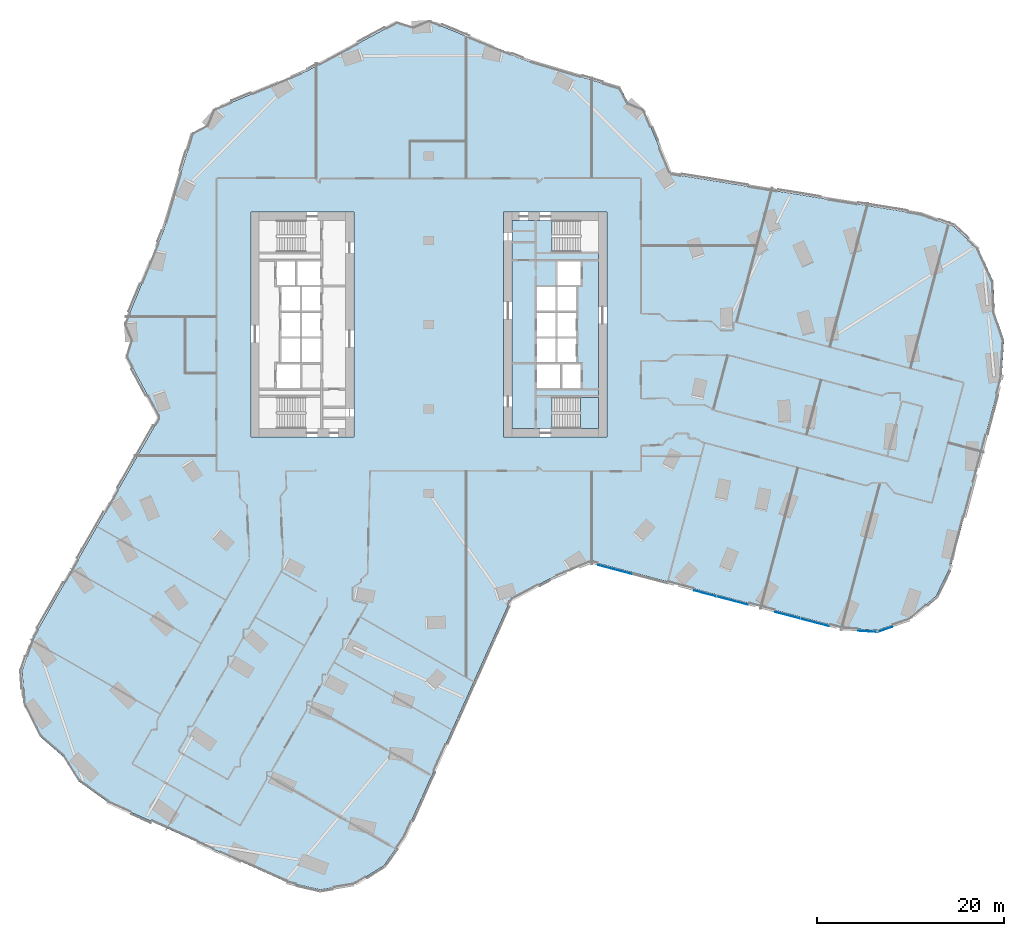
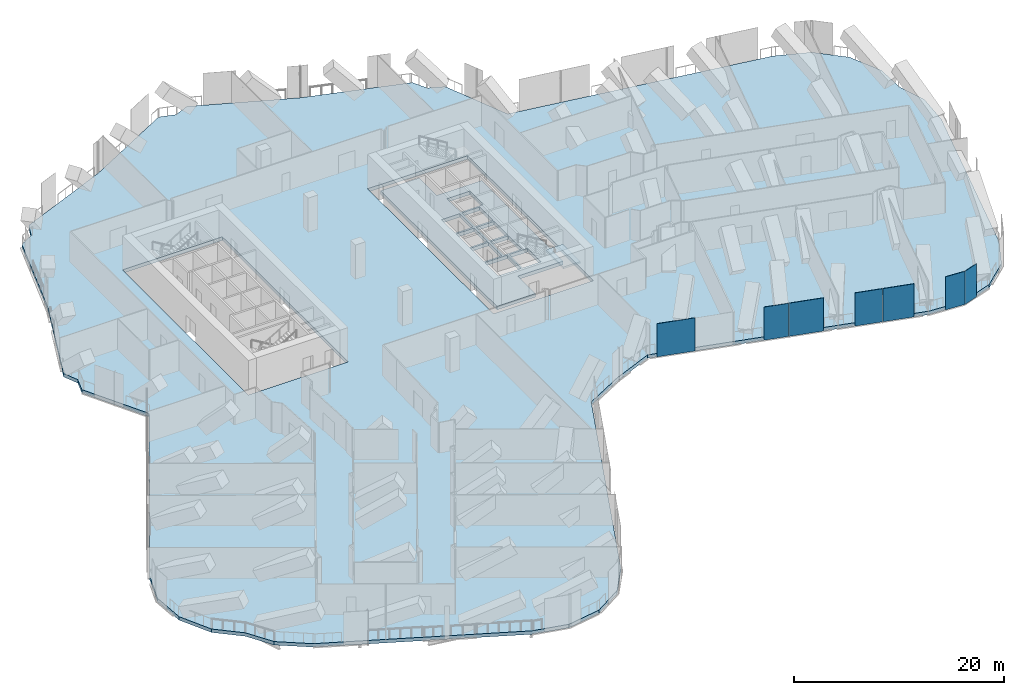
# One storey, part 21 of 37: 7 plates, 3 slabs, 4 elements without a shape of their own.
"""IFC4 building model written with IfcOpenShell, lengths in metres."""

from ifc_helpers import new_model, si_unit, direction, frame, origin, origin_2d, place, context, subcontext, project, spatial, polyline, rectangle, outline, extrude, material, layer, layer_set, type_object, element, aggregate, save


model = new_model("IFC4")

# Units and contexts
model_context = context("Model", 3, precision=1e-05, world=origin(), true_north=direction((0.0, 1.0)))
body_context = subcontext(model_context, "Body", "Model", "MODEL_VIEW")
ifc_project = project(units=[si_unit("LENGTHUNIT", "METRE"), si_unit("AREAUNIT", "SQUARE_METRE"), si_unit("VOLUMEUNIT", "CUBIC_METRE"), si_unit("PLANEANGLEUNIT", "RADIAN"), si_unit("MASSUNIT", "GRAM", prefix="KILO")], contexts=[model_context])

# Site, building, storey
site_placement = place(None, origin())
site = spatial("IfcSite", under=ifc_project, at=site_placement, CompositionType="ELEMENT")
building_placement = place(site_placement, origin())
building = spatial("IfcBuilding", under=site, at=building_placement, Name="Orlundy Tower", CompositionType="ELEMENT")
storey_placement = place(building_placement, frame((0.0, 0.0, 119.699951171875)))
storey = spatial("IfcBuildingStorey", under=building, at=storey_placement, Name="L30", CompositionType="ELEMENT", Elevation=119.699951171875)

# Curtain wall, plate
ifc_material_1 = material(Name="Aluminium bronze anodised", Category="aluminium")
curtain_wall_type = type_object("IfcCurtainWallType", Name="CW5 wall", PredefinedType="NOTDEFINED", material=ifc_material_1)
curtain_wall_1_placement = place(storey_placement, origin())
curtain_wall_1 = element("IfcCurtainWall", 1, at=curtain_wall_1_placement, inside=storey, type_object=curtain_wall_type, Name="CW5 run 026", PredefinedType="NOTDEFINED")
ifc_material_2 = material(Name="Tinted glass", Category="glass")
ifc_layer_1 = layer(ifc_material_2, 0.031982421875)
ifc_layer_set_1 = layer_set([ifc_layer_1], Name="CW5 glass panel 32")
plate_type_1 = type_object("IfcPlateType", Name="CW5 glass panel 32", PredefinedType="CURTAIN_PANEL", material=ifc_layer_set_1)
plate_1_placement = place(storey_placement, frame((46.8818359375, -32.743896484375, -0.259765625), z_axis=(0.0, 0.0, 1.0), x_axis=(-0.998039963249, 0.06257980311, 0.0)))
plate_1 = element("IfcPlate", 2, at=plate_1_placement, type_object=plate_type_1, Name="CW5 panel", PredefinedType="CURTAIN_PANEL", context=body_context, shape_type="SweptSolid", body=[
    extrude(rectangle(XDim=2.05029296875, YDim=0.031982421875, at=origin_2d()), origin(), (0.0, 0.0, 1.0), 3.860107421875),
])
aggregate(curtain_wall_1, [plate_1])

# Curtain wall, plates
curtain_wall_2_placement = place(storey_placement, origin())
curtain_wall_2 = element("IfcCurtainWall", 3, at=curtain_wall_2_placement, inside=storey, type_object=curtain_wall_type, Name="CW5 run 027", PredefinedType="NOTDEFINED")
plate_2_placement = place(storey_placement, frame((41.179931640625, -31.785888671875, -0.259765625), z_axis=(0.0, 0.0, 1.0), x_axis=(-0.966673796654, 0.256011270968, 0.0)))
plate_2 = element("IfcPlate", 4, at=plate_2_placement, type_object=plate_type_1, Name="CW5 panel", PredefinedType="CURTAIN_PANEL", context=body_context, shape_type="SweptSolid", body=[
    extrude(rectangle(XDim=3.101806640625, YDim=0.031982421875, at=origin_2d()), origin(), (0.0, 0.0, 1.0), 3.860107421875),
])
plate_3_placement = place(storey_placement, frame((32.379150390625, -29.455078125, -0.259765625), z_axis=(0.0, 0.0, 1.0), x_axis=(-0.966673796654, 0.256011270968, 0.0)))
plate_3 = element("IfcPlate", 5, at=plate_3_placement, type_object=plate_type_1, Name="CW5 panel", PredefinedType="CURTAIN_PANEL", context=body_context, shape_type="SweptSolid", body=[
    extrude(rectangle(XDim=3.416259765625, YDim=0.031982421875, at=origin_2d()), origin(), (0.0, 0.0, 1.0), 3.860107421875),
])
plate_4_placement = place(storey_placement, frame((29.5048828125, -28.69384765625, -0.259765625), z_axis=(0.0, 0.0, 1.0), x_axis=(-0.966673796654, 0.256011270968, 0.0)))
plate_4 = element("IfcPlate", 6, at=plate_4_placement, type_object=plate_type_1, Name="CW5 panel", PredefinedType="CURTAIN_PANEL", context=body_context, shape_type="SweptSolid", body=[
    extrude(rectangle(XDim=2.4306640625, YDim=0.031982421875, at=origin_2d()), origin(), (0.0, 0.0, 1.0), 3.860107421875),
])
plate_5_placement = place(storey_placement, frame((19.91845703125, -26.155029296875, -0.259765625), z_axis=(0.0, 0.0, 1.0), x_axis=(-0.966673796654, 0.256011270968, 0.0)))
plate_5 = element("IfcPlate", 7, at=plate_5_placement, type_object=plate_type_1, Name="CW5 panel", PredefinedType="CURTAIN_PANEL", context=body_context, shape_type="SweptSolid", body=[
    extrude(rectangle(XDim=3.741943359375, YDim=0.031982421875, at=origin_2d()), origin(), (0.0, 0.0, 1.0), 3.860107421875),
])

# Curtain wall, plate
curtain_wall_3_placement = place(storey_placement, origin())
curtain_wall_3 = element("IfcCurtainWall", 8, at=curtain_wall_3_placement, inside=storey, type_object=curtain_wall_type, Name="CW5 run 025", PredefinedType="NOTDEFINED")
ifc_material_3 = material(Name="Tinted glass", Category="glass")
ifc_layer_2 = layer(ifc_material_3, 0.031982421875)
ifc_layer_set_2 = layer_set([ifc_layer_2], Name="CW5 vent panel 32")
plate_type_2 = type_object("IfcPlateType", Name="CW5 vent panel 32", PredefinedType="CURTAIN_PANEL", material=ifc_layer_set_2)
plate_6_placement = place(storey_placement, frame((48.695556640625, -32.536865234375, -0.259765625), z_axis=(0.0, 0.0, 1.0), x_axis=(-0.945950675878, -0.32431052836, 0.0)))
plate_6 = element("IfcPlate", 9, at=plate_6_placement, type_object=plate_type_2, Name="CW5 panel", PredefinedType="CURTAIN_PANEL", context=body_context, shape_type="SweptSolid", body=[
    extrude(rectangle(XDim=1.671630859375, YDim=0.031982421875, at=origin_2d()), origin(), (0.0, 0.0, 1.0), 3.860107421875),
])
aggregate(curtain_wall_3, [plate_6])

# Plate
plate_7_placement = place(storey_placement, frame((38.323486328125, -31.029296875, -0.259765625), z_axis=(0.0, 0.0, 1.0), x_axis=(-0.966673796654, 0.256011270968, 0.0)))
plate_7 = element("IfcPlate", 10, at=plate_7_placement, type_object=plate_type_2, Name="CW5 panel", PredefinedType="CURTAIN_PANEL", context=body_context, shape_type="SweptSolid", body=[
    extrude(rectangle(XDim=2.708251953125, YDim=0.031982421875, at=origin_2d()), origin(), (0.0, 0.0, 1.0), 3.860107421875),
])

aggregate(curtain_wall_2, [plate_2, plate_7, plate_3, plate_4, plate_5])

# Slab
ifc_material_4 = material(Name="Concrete C50/60", Category="concrete")
ifc_layer_3 = layer(ifc_material_4, 0.409912109375)
ifc_layer_set_3 = layer_set([ifc_layer_3], Name="Core Floor Slab 410")
slab_type_1 = type_object("IfcSlabType", Name="Core Floor Slab 410", PredefinedType="FLOOR", material=ifc_layer_set_3)
slab_1_placement = place(storey_placement, frame((0.0, 0.0, -0.409912109375)))
element("IfcSlab", 11, at=slab_1_placement, inside=storey, type_object=slab_type_1, Name="Core floor E23", PredefinedType="FLOOR", context=body_context, shape_type="SweptSolid", body=[
    extrude(outline(polyline([(13.14501953125, -7.75), (13.14501953125, -11.10009765625), (8.89990234375, -11.10009765625), (8.89990234375, 11.10009765625), (13.14501953125, 11.10009765625), (13.14501953125, 7.75), (18.10009765625, 7.75), (18.10009765625, -7.75), (13.14501953125, -7.75)]), holes=[polyline([(16.239990234375, 6.77490234375), (13.739990234375, 6.77490234375), (13.739990234375, 4.22509765625), (16.239990234375, 4.22509765625), (16.239990234375, 6.77490234375)]), polyline([(13.5400390625, 1.47509765625), (13.5400390625, 4.02490234375), (11.5400390625, 4.02490234375), (11.5400390625, 1.47509765625), (13.5400390625, 1.47509765625)]), polyline([(13.739990234375, 1.47509765625), (15.739990234375, 1.47509765625), (15.739990234375, 4.02490234375), (13.739990234375, 4.02490234375), (13.739990234375, 1.47509765625)]), polyline([(11.5400390625, 1.27490234375), (11.5400390625, -1.27490234375), (13.5400390625, -1.27490234375), (13.5400390625, 1.27490234375), (11.5400390625, 1.27490234375)]), polyline([(15.739990234375, 1.27490234375), (13.739990234375, 1.27490234375), (13.739990234375, -1.27490234375), (15.739990234375, -1.27490234375), (15.739990234375, 1.27490234375)]), polyline([(13.5400390625, -4.02490234375), (13.5400390625, -1.47509765625), (11.5400390625, -1.47509765625), (11.5400390625, -4.02490234375), (13.5400390625, -4.02490234375)]), polyline([(13.739990234375, -4.02490234375), (15.739990234375, -4.02490234375), (15.739990234375, -1.47509765625), (13.739990234375, -1.47509765625), (13.739990234375, -4.02490234375)]), polyline([(11.5400390625, -4.22509765625), (11.5400390625, -6.77490234375), (14.0400390625, -6.77490234375), (14.0400390625, -4.22509765625), (11.5400390625, -4.22509765625)]), polyline([(16.239990234375, -4.22509765625), (14.239990234375, -4.22509765625), (14.239990234375, -6.77490234375), (16.239990234375, -6.77490234375), (16.239990234375, -4.22509765625)])]), origin(), (0.0, 0.0, 1.0), 0.409912109375),
])

# Stair, slab
ifc_material_5 = material(Name="Concrete C50/60", Category="concrete")
stair_type = type_object("IfcStairType", Name="Exit Stair 24 risers", PredefinedType="HALF_TURN_STAIR", material=ifc_material_5)
stair_placement = place(storey_placement, origin())
stair = element("IfcStair", 12, at=stair_placement, inside=storey, type_object=stair_type, Name="L30 Exit Stair ST-E1", PredefinedType="HALF_TURN_STAIR")
ifc_material_6 = material(Name="Concrete C50/60", Category="concrete")
ifc_layer_4 = layer(ifc_material_6, 0.199951171875)
ifc_layer_set_4 = layer_set([ifc_layer_4], Name="Exit Stair Landing")
slab_type_2 = type_object("IfcSlabType", Name="Exit Stair Landing", PredefinedType="LANDING", material=ifc_layer_set_4)
slab_2_placement = place(storey_placement, frame((0.0, 0.0, 1.800048828125)))
slab_2 = element("IfcSlab", 13, at=slab_2_placement, type_object=slab_type_2, Name="ST-E1 landing 1", PredefinedType="LANDING", context=body_context, shape_type="SweptSolid", body=[
    extrude(outline(polyline([(16.219970703125, -11.10009765625), (18.10009765625, -11.10009765625), (18.10009765625, -7.75), (16.219970703125, -7.75), (16.219970703125, -11.10009765625)])), origin(), (0.0, 0.0, 1.0), 0.199951171875),
])
aggregate(stair, [slab_2])

# Slab
ifc_material_7 = material(Name="Concrete C45/55", Category="concrete")
ifc_layer_5 = layer(ifc_material_7, 0.39990234375)
ifc_layer_set_5 = layer_set([ifc_layer_5], Name="JUNCTION FLOOR SLAB 400 C45/55")
slab_type_3 = type_object("IfcSlabType", Name="JUNCTION FLOOR SLAB 400 C45/55", PredefinedType="FLOOR", material=ifc_layer_set_5)
slab_3_placement = place(storey_placement, frame((0.0, 0.0, -0.39990234375)))
element("IfcSlab", 14, at=slab_3_placement, inside=storey, type_object=slab_type_3, Name="Floor slab L30", PredefinedType="FLOOR", context=body_context, shape_type="SweptSolid", body=[
    extrude(outline(polyline([(-31.81494140625, -1.6669921875), (-32.471923828125, -0.093994140625), (-28.31396484375, 10.028076171875), (-25.176025390625, 20.508056640625), (-23.676025390625, 21.31689453125), (-23.028076171875, 22.89404296875), (-12.929931640625, 27.111083984375), (-3.300048828125, 32.303955078125), (-1.6669921875, 31.81494140625), (-0.093994140625, 32.471923828125), (10.028076171875, 28.31396484375), (20.508056640625, 25.176025390625), (21.31689453125, 23.676025390625), (22.89404296875, 23.028076171875), (25.7890625, 16.096923828125), (52.548095703125, 11.779052734375), (56.02099609375, 10.486083984375), (58.736083984375, 7.9619140625), (60.278076171875, 4.591064453125), (60.39794921875, 1.2958984375), (61.404052734375, -1.638916015625), (61.172119140625, -5.337890625), (55.7958984375, -25.638916015625), (54.166015625, -28.968017578125), (51.385986328125, -31.419921875), (47.8798828125, -32.6220703125), (44.179931640625, -32.389892578125), (17.322021484375, -25.277099609375), (12.929931640625, -27.111083984375), (8.742919921875, -29.368896484375), (-2.632080078125, -54.718017578125), (-4.780029296875, -57.739013671875), (-7.9208984375, -59.7080078125), (-11.575927734375, -60.324951171875), (-15.18798828125, -59.49609375), (-34.347900390625, -50.89892578125), (-37.368896484375, -48.7509765625), (-39.01806640625, -46.12109375), (-41.501953125, -43.955078125), (-43.152099609375, -40.635986328125), (-43.405029296875, -36.93798828125), (-42.222900390625, -33.424072265625), (-28.739013671875, -9.910888671875), (-32.303955078125, -3.300048828125), (-31.81494140625, -1.6669921875)]), holes=[polyline([(-8.0, -12.0), (-8.0, 12.0), (-19.0, 12.0), (-19.0, -12.0), (-8.0, -12.0)]), polyline([(19.0, -12.0), (19.0, 12.0), (8.0, 12.0), (8.0, -12.0), (19.0, -12.0)])]), origin(), (0.0, 0.0, 1.0), 0.39990234375),
])

save(model, "model.ifc")
